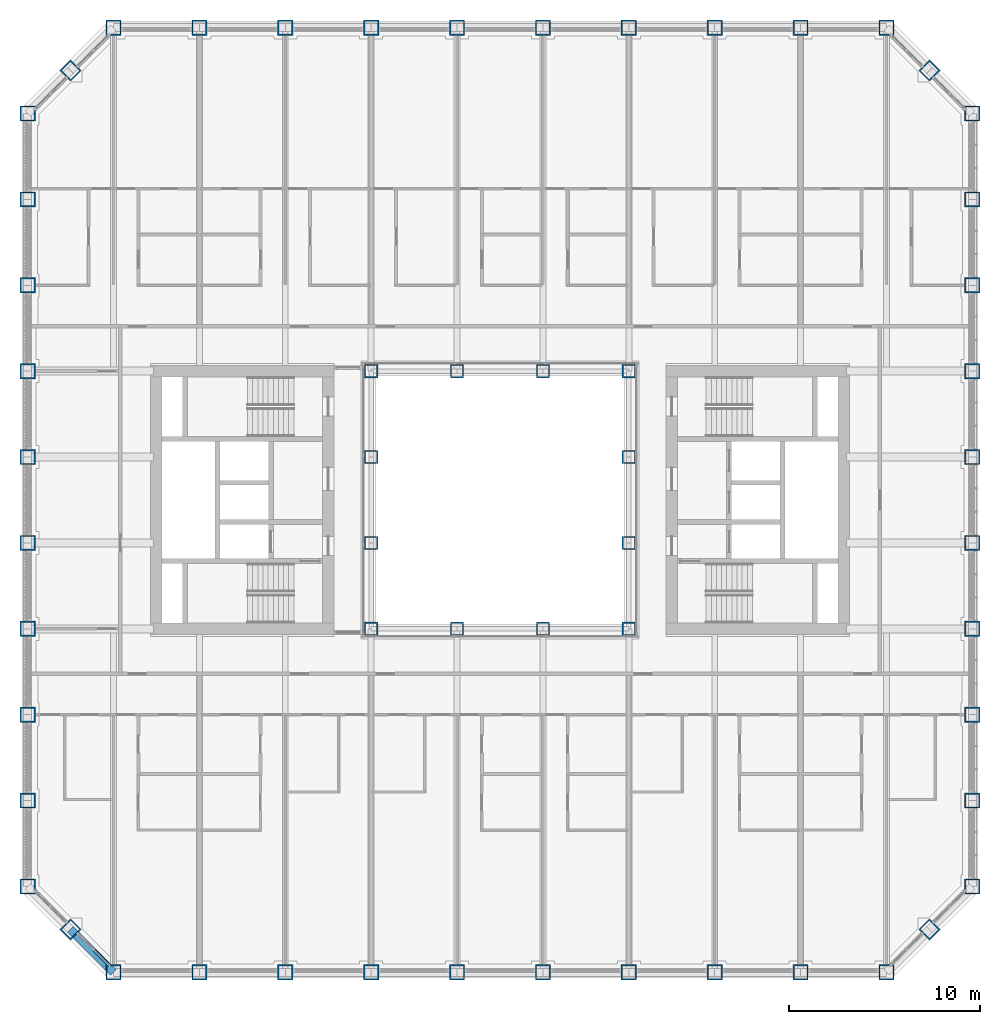
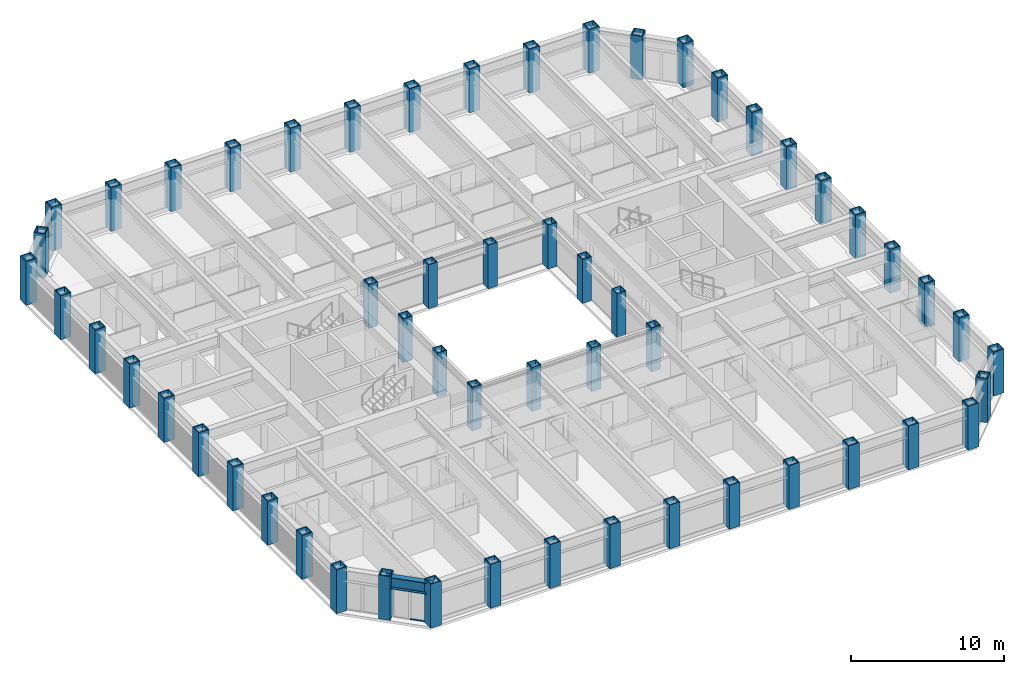
# One storey, part 1 of 21: 56 columns, 2 members, 1 beam, 1 element without a shape of its own.
"""IFC4 building model written with IfcOpenShell, lengths in metres."""

from ifc_helpers import new_model, si_unit, direction, frame, origin, origin_2d, place, context, subcontext, project, spatial, rectangle, hollow_rectangle, i_section, extrude, material, material_profile, profile_set, type_object, element, aggregate, save


model = new_model("IFC4")

# Units and contexts
model_context = context("Model", 3, precision=1e-05, world=origin(), true_north=direction((0.0, 1.0)))
body_context = subcontext(model_context, "Body", "Model", "MODEL_VIEW")
ifc_project = project(units=[si_unit("LENGTHUNIT", "METRE"), si_unit("AREAUNIT", "SQUARE_METRE"), si_unit("VOLUMEUNIT", "CUBIC_METRE"), si_unit("PLANEANGLEUNIT", "RADIAN"), si_unit("MASSUNIT", "GRAM", prefix="KILO")], contexts=[model_context])

# Site, building, storey
site_placement = place(None, origin())
site = spatial("IfcSite", under=ifc_project, at=site_placement, CompositionType="ELEMENT")
building_placement = place(site_placement, origin())
building = spatial("IfcBuilding", under=site, at=building_placement, Name="Msasa Ring Tower", CompositionType="ELEMENT")
storey_placement = place(building_placement, frame((0.0, 0.0, 47.5)))
storey = spatial("IfcBuildingStorey", under=building, at=storey_placement, Name="L11", CompositionType="ELEMENT", Elevation=47.5)

# Columns
ifc_material_1 = material(Name="Steel S355", Category="steel")
ifc_material_profile_1 = material_profile(ifc_material_1, hollow_rectangle(XDim=0.699951171875, YDim=0.699951171875, WallThickness=0.06005859375, at=origin_2d()), Name="BOX 700x700x60")
ifc_profile_set_1 = profile_set([ifc_material_profile_1], Name="Steel S355")
column_type_1 = type_object("IfcColumnType", Name="IC2 BOX 700x700x60", PredefinedType="COLUMN", material=ifc_profile_set_1)
for number, where, z_axis, x_axis, name in (
    (1, (-6.75, -6.75, 0.0), (0.0, 0.0, 1.0), (1.0, 0.0, 0.0), "Inner ring column IR-6.75-6.75 L11"),
    (2, (-6.75, -2.25, 0.0), (0.0, 0.0, 1.0), (1.0, 0.0, 0.0), "Inner ring column IR-6.75-2.25 L11"),
    (3, (-6.75, 2.25, 0.0), (0.0, 0.0, 1.0), (1.0, 0.0, 0.0), "Inner ring column IR-6.75+2.25 L11"),
    (4, (-6.75, 6.75, 0.0), (0.0, 0.0, 1.0), (1.0, 0.0, 0.0), "Inner ring column IR-6.75+6.75 L11"),
    (5, (-2.25, -6.75, 0.0), (0.0, 0.0, 1.0), (1.0, 0.0, 0.0), "Inner ring column IR-2.25-6.75 L11"),
    (6, (-2.25, 6.75, 0.0), (0.0, 0.0, 1.0), (1.0, 0.0, 0.0), "Inner ring column IR-2.25+6.75 L11"),
    (7, (2.25, -6.75, 0.0), (0.0, 0.0, 1.0), (1.0, 0.0, 0.0), "Inner ring column IR+2.25-6.75 L11"),
    (8, (2.25, 6.75, 0.0), (0.0, 0.0, 1.0), (1.0, 0.0, 0.0), "Inner ring column IR+2.25+6.75 L11"),
    (9, (6.75, -6.75, 0.0), (0.0, 0.0, 1.0), (1.0, 0.0, 0.0), "Inner ring column IR+6.75-6.75 L11"),
    (10, (6.75, -2.25, 0.0), (0.0, 0.0, 1.0), (1.0, 0.0, 0.0), "Inner ring column IR+6.75-2.25 L11"),
    (11, (6.75, 2.25, 0.0), (0.0, 0.0, 1.0), (1.0, 0.0, 0.0), "Inner ring column IR+6.75+2.25 L11"),
    (12, (6.75, 6.75, 0.0), (0.0, 0.0, 1.0), (1.0, 0.0, 0.0), "Inner ring column IR+6.75+6.75 L11"),
):
    element("IfcColumn", number, at=place(storey_placement, frame(where, z_axis=z_axis, x_axis=x_axis)), inside=storey, type_object=column_type_1, Name=name, PredefinedType="COLUMN", context=body_context, shape_type="SweptSolid", body=[
        extrude(hollow_rectangle(XDim=0.699951171875, YDim=0.699951171875, WallThickness=0.06005859375, at=origin_2d()), origin(), (0.0, 0.0, 1.0), 3.5),
    ])
ifc_material_2 = material(Name="Steel S355", Category="steel")
ifc_material_profile_2 = material_profile(ifc_material_2, hollow_rectangle(XDim=0.800048828125, YDim=0.800048828125, WallThickness=0.070068359375, at=origin_2d()), Name="BOX 800x800x70")
ifc_profile_set_2 = profile_set([ifc_material_profile_2], Name="Steel S355")
column_type_2 = type_object("IfcColumnType", Name="TC2 BOX 800x800x70", PredefinedType="COLUMN", material=ifc_profile_set_2)
for number, where, z_axis, x_axis, name in (
    (13, (-20.25, -24.75, 0.0), (0.0, 0.0, 1.0), (0.0, 1.0, 0.0), "Tube column S-20.25 L11"),
    (14, (-20.25, 24.75, 0.0), (0.0, 0.0, 1.0), (0.0, 1.0, 0.0), "Tube column N-20.25 L11"),
    (15, (24.75, -20.25, 0.0), (0.0, 0.0, 1.0), (1.0, 0.0, 0.0), "Tube column E-20.25 L11"),
    (16, (-24.75, -20.25, 0.0), (0.0, 0.0, 1.0), (1.0, 0.0, 0.0), "Tube column W-20.25 L11"),
    (17, (-15.75, -24.75, 0.0), (0.0, 0.0, 1.0), (0.0, 1.0, 0.0), "Tube column S-15.75 L11"),
    (18, (-15.75, 24.75, 0.0), (0.0, 0.0, 1.0), (0.0, 1.0, 0.0), "Tube column N-15.75 L11"),
    (19, (24.75, -15.75, 0.0), (0.0, 0.0, 1.0), (1.0, 0.0, 0.0), "Tube column E-15.75 L11"),
    (20, (-24.75, -15.75, 0.0), (0.0, 0.0, 1.0), (1.0, 0.0, 0.0), "Tube column W-15.75 L11"),
    (21, (-11.25, -24.75, 0.0), (0.0, 0.0, 1.0), (0.0, 1.0, 0.0), "Tube column S-11.25 L11"),
    (22, (-11.25, 24.75, 0.0), (0.0, 0.0, 1.0), (0.0, 1.0, 0.0), "Tube column N-11.25 L11"),
    (23, (24.75, -11.25, 0.0), (0.0, 0.0, 1.0), (1.0, 0.0, 0.0), "Tube column E-11.25 L11"),
    (24, (-24.75, -11.25, 0.0), (0.0, 0.0, 1.0), (1.0, 0.0, 0.0), "Tube column W-11.25 L11"),
    (25, (-6.75, -24.75, 0.0), (0.0, 0.0, 1.0), (0.0, 1.0, 0.0), "Tube column S-6.75 L11"),
    (26, (-6.75, 24.75, 0.0), (0.0, 0.0, 1.0), (0.0, 1.0, 0.0), "Tube column N-6.75 L11"),
    (27, (24.75, -6.75, 0.0), (0.0, 0.0, 1.0), (1.0, 0.0, 0.0), "Tube column E-6.75 L11"),
    (28, (-24.75, -6.75, 0.0), (0.0, 0.0, 1.0), (1.0, 0.0, 0.0), "Tube column W-6.75 L11"),
    (29, (-2.25, -24.75, 0.0), (0.0, 0.0, 1.0), (0.0, 1.0, 0.0), "Tube column S-2.25 L11"),
    (30, (-2.25, 24.75, 0.0), (0.0, 0.0, 1.0), (0.0, 1.0, 0.0), "Tube column N-2.25 L11"),
    (31, (24.75, -2.25, 0.0), (0.0, 0.0, 1.0), (1.0, 0.0, 0.0), "Tube column E-2.25 L11"),
    (32, (-24.75, -2.25, 0.0), (0.0, 0.0, 1.0), (1.0, 0.0, 0.0), "Tube column W-2.25 L11"),
    (33, (2.25, -24.75, 0.0), (0.0, 0.0, 1.0), (0.0, 1.0, 0.0), "Tube column S+2.25 L11"),
    (34, (2.25, 24.75, 0.0), (0.0, 0.0, 1.0), (0.0, 1.0, 0.0), "Tube column N+2.25 L11"),
    (35, (24.75, 2.25, 0.0), (0.0, 0.0, 1.0), (1.0, 0.0, 0.0), "Tube column E+2.25 L11"),
    (36, (-24.75, 2.25, 0.0), (0.0, 0.0, 1.0), (1.0, 0.0, 0.0), "Tube column W+2.25 L11"),
    (37, (6.75, -24.75, 0.0), (0.0, 0.0, 1.0), (0.0, 1.0, 0.0), "Tube column S+6.75 L11"),
    (38, (6.75, 24.75, 0.0), (0.0, 0.0, 1.0), (0.0, 1.0, 0.0), "Tube column N+6.75 L11"),
    (39, (24.75, 6.75, 0.0), (0.0, 0.0, 1.0), (1.0, 0.0, 0.0), "Tube column E+6.75 L11"),
    (40, (-24.75, 6.75, 0.0), (0.0, 0.0, 1.0), (1.0, 0.0, 0.0), "Tube column W+6.75 L11"),
    (41, (11.25, -24.75, 0.0), (0.0, 0.0, 1.0), (0.0, 1.0, 0.0), "Tube column S+11.25 L11"),
    (42, (11.25, 24.75, 0.0), (0.0, 0.0, 1.0), (0.0, 1.0, 0.0), "Tube column N+11.25 L11"),
    (43, (24.75, 11.25, 0.0), (0.0, 0.0, 1.0), (1.0, 0.0, 0.0), "Tube column E+11.25 L11"),
    (44, (-24.75, 11.25, 0.0), (0.0, 0.0, 1.0), (1.0, 0.0, 0.0), "Tube column W+11.25 L11"),
    (45, (15.75, -24.75, 0.0), (0.0, 0.0, 1.0), (0.0, 1.0, 0.0), "Tube column S+15.75 L11"),
    (46, (15.75, 24.75, 0.0), (0.0, 0.0, 1.0), (0.0, 1.0, 0.0), "Tube column N+15.75 L11"),
    (47, (24.75, 15.75, 0.0), (0.0, 0.0, 1.0), (1.0, 0.0, 0.0), "Tube column E+15.75 L11"),
    (48, (-24.75, 15.75, 0.0), (0.0, 0.0, 1.0), (1.0, 0.0, 0.0), "Tube column W+15.75 L11"),
    (49, (20.25, -24.75, 0.0), (0.0, 0.0, 1.0), (0.0, 1.0, 0.0), "Tube column S+20.25 L11"),
    (50, (20.25, 24.75, 0.0), (0.0, 0.0, 1.0), (0.0, 1.0, 0.0), "Tube column N+20.25 L11"),
    (51, (24.75, 20.25, 0.0), (0.0, 0.0, 1.0), (1.0, 0.0, 0.0), "Tube column E+20.25 L11"),
    (52, (-24.75, 20.25, 0.0), (0.0, 0.0, 1.0), (1.0, 0.0, 0.0), "Tube column W+20.25 L11"),
    (53, (22.5, -22.5, 0.0), (0.0, 0.0, 1.0), (0.707106781187, -0.707106781187, 0.0), "Tube column SE L11"),
    (54, (22.5, 22.5, 0.0), (0.0, 0.0, 1.0), (0.707106781187, 0.707106781187, 0.0), "Tube column NE L11"),
    (55, (-22.5, 22.5, 0.0), (0.0, 0.0, 1.0), (0.707106781187, -0.707106781187, 0.0), "Tube column NW L11"),
    (56, (-22.5, -22.5, 0.0), (0.0, 0.0, 1.0), (0.707106781187, 0.707106781187, 0.0), "Tube column SW L11"),
):
    element("IfcColumn", number, at=place(storey_placement, frame(where, z_axis=z_axis, x_axis=x_axis)), inside=storey, type_object=column_type_2, Name=name, PredefinedType="COLUMN", context=body_context, shape_type="SweptSolid", body=[
        extrude(hollow_rectangle(XDim=0.800048828125, YDim=0.800048828125, WallThickness=0.070068359375, at=origin_2d()), origin(), (0.0, 0.0, 1.0), 3.5),
    ])

# Curtain wall, members
ifc_material_3 = material(Name="Aluminium curtain wall with clear glass", Category="aluminium")
curtain_wall_type = type_object("IfcCurtainWallType", Name="CW-C CHAMFER CORNER CURTAIN WALL", PredefinedType="NOTDEFINED", material=ifc_material_3)
curtain_wall_placement = place(storey_placement, origin())
curtain_wall = element("IfcCurtainWall", 57, at=curtain_wall_placement, inside=storey, type_object=curtain_wall_type, Name="Chamfer corner curtain wall SW L11", PredefinedType="NOTDEFINED")
ifc_material_4 = material(Name="Aluminium transom", Category="aluminium")
ifc_material_profile_3 = material_profile(ifc_material_4, rectangle(XDim=0.139892578125, YDim=0.06494140625, at=origin_2d()), Name="AL 65x140")
ifc_profile_set_3 = profile_set([ifc_material_profile_3], Name="Aluminium transom")
member_type = type_object("IfcMemberType", Name="CW-C TRANSOM 65x140", PredefinedType="USERDEFINED", material=ifc_profile_set_3)
member_1_placement = place(storey_placement, frame((-21.28125, -23.577392578125, 0.032470703125), z_axis=(0.707106781187, -0.707106781187, 0.0), x_axis=(0.707106781187, 0.707106781187, 0.0)))
member_1 = element("IfcMember", 58, at=member_1_placement, type_object=member_type, Name="CW-C transom 2.1", ObjectType="TRANSOM", PredefinedType="USERDEFINED", context=body_context, shape_type="SweptSolid", body=[
    extrude(rectangle(XDim=0.139892578125, YDim=0.06494140625, at=origin_2d()), origin(), (0.0, 0.0, 1.0), 1.08837890625),
])
member_2_placement = place(storey_placement, frame((-21.28125, -23.577392578125, 2.346435546875), z_axis=(0.707106781187, -0.707106781187, 0.0), x_axis=(0.707106781187, 0.707106781187, 0.0)))
member_2 = element("IfcMember", 59, at=member_2_placement, type_object=member_type, Name="CW-C transom 2.2", ObjectType="TRANSOM", PredefinedType="USERDEFINED", context=body_context, shape_type="SweptSolid", body=[
    extrude(rectangle(XDim=0.139892578125, YDim=0.06494140625, at=origin_2d()), origin(), (0.0, 0.0, 1.0), 1.08837890625),
])
aggregate(curtain_wall, [member_1, member_2])

# Beam
ifc_material_5 = material(Name="Steel S355", Category="steel")
ifc_material_profile_4 = material_profile(ifc_material_5, i_section(OverallWidth=0.42041015625, OverallDepth=0.9208984375, WebThickness=0.021484375, FlangeThickness=0.03662109375, FilletRadius=0.024169921875, at=origin_2d()), Name="UB 914x419x388")
ifc_profile_set_4 = profile_set([ifc_material_profile_4], Name="Steel S355")
beam_type = type_object("IfcBeamType", Name="SB1 UB 914x419x388", PredefinedType="SPANDREL", material=ifc_profile_set_4)
beam_placement = place(storey_placement, frame((-22.5, -22.5, 2.839599609375), z_axis=(0.707106781187, -0.707106781187, 0.0), x_axis=(0.707106781187, 0.707106781187, 0.0)))
element("IfcBeam", 60, at=beam_placement, inside=storey, type_object=beam_type, Name="Spandrel SW to S-20.25 under L12", PredefinedType="SPANDREL", context=body_context, shape_type="SweptSolid", body=[
    extrude(i_section(OverallWidth=0.42041015625, OverallDepth=0.9208984375, WebThickness=0.021484375, FlangeThickness=0.03662109375, FilletRadius=0.024169921875, at=origin_2d()), origin(), (0.0, 0.0, 1.0), 3.181884765625),
])

save(model, "model.ifc")
